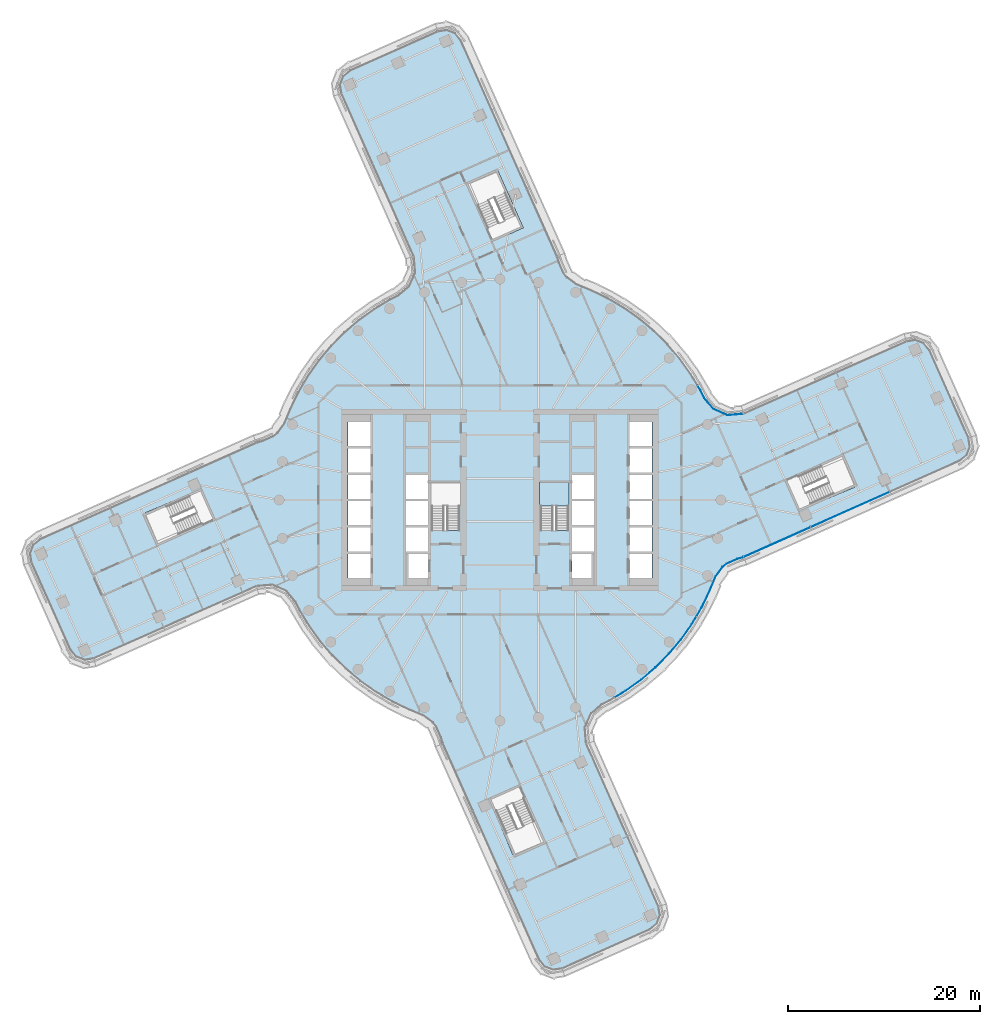
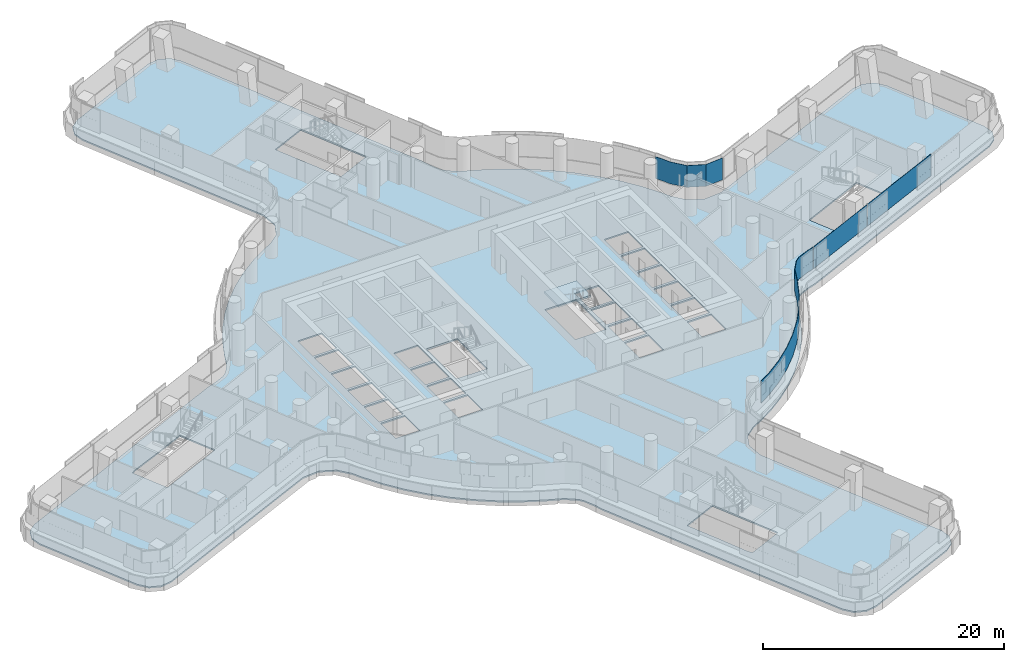
# One storey, part 19 of 35: 5 plates, 2 slabs, 4 elements without a shape of their own.
"""IFC4 building model written with IfcOpenShell, lengths in metres."""

from ifc_helpers import new_model, si_unit, direction, frame, origin, place, context, subcontext, project, spatial, polyline, outline, extrude, material, layer, layer_set, type_object, element, aggregate, save


model = new_model("IFC4")

# Units and contexts
model_context = context("Model", 3, precision=1e-05, world=origin(), true_north=direction((0.0, 1.0)))
body_context = subcontext(model_context, "Body", "Model", "MODEL_VIEW")
ifc_project = project(units=[si_unit("LENGTHUNIT", "METRE"), si_unit("AREAUNIT", "SQUARE_METRE"), si_unit("VOLUMEUNIT", "CUBIC_METRE"), si_unit("PLANEANGLEUNIT", "RADIAN"), si_unit("MASSUNIT", "GRAM", prefix="KILO")], contexts=[model_context])

# Site, building, storey
site_placement = place(None, origin())
site = spatial("IfcSite", under=ifc_project, at=site_placement, CompositionType="ELEMENT")
building_placement = place(site_placement, origin())
building = spatial("IfcBuilding", under=site, at=building_placement, Name="Tamarind Cross Interchange Tower", CompositionType="ELEMENT")
storey_placement = place(building_placement, frame((0.0, 0.0, 121.0)))
storey = spatial("IfcBuildingStorey", under=building, at=storey_placement, Name="L29", CompositionType="ELEMENT", Elevation=121.0)

# Slab
ifc_material_1 = material(Name="Concrete C35", Category="concrete")
ifc_layer_1 = layer(ifc_material_1, 0.139892578125)
ifc_layer_set_1 = layer_set([ifc_layer_1], Name="Concrete C35")
slab_type_1 = type_object("IfcSlabType", Name="Composite slab 140 Concrete C35", PredefinedType="FLOOR", material=ifc_layer_set_1)
slab_1_placement = place(storey_placement, frame((0.0, 0.0, -0.139892578125)))
element("IfcSlab", 1, at=slab_1_placement, inside=storey, type_object=slab_type_1, Name="Floor slab L29", PredefinedType="FLOOR", context=body_context, shape_type="SweptSolid", body=[
    extrude(outline(polyline([(-24.76220703125, 6.337890625), (-25.451904296875, 6.125244140625), (-47.949951171875, -3.906005859375), (-48.754150390625, -4.557861328125), (-49.124755859375, -5.524658203125), (-48.962158203125, -6.547119140625), (-44.889892578125, -15.680419921875), (-44.238037109375, -16.484619140625), (-43.271484375, -16.85498046875), (-42.248779296875, -16.6923828125), (-25.294189453125, -9.168701171875), (-23.68017578125, -9.030029296875), (-22.32666015625, -9.65576171875), (-21.447509765625, -10.726806640625), (-21.054443359375, -11.511474609375), (-20.031982421875, -13.2109375), (-18.87255859375, -14.820068359375), (-17.584228515625, -16.327880859375), (-16.17578125, -17.72412109375), (-14.656982421875, -18.99951171875), (-13.0380859375, -20.14501953125), (-11.329833984375, -21.15283203125), (-9.54443359375, -22.01611328125), (-8.052001953125, -22.634521484375), (-7.122802734375, -23.315185546875), (-6.805419921875, -23.709228515625), (-6.337890625, -24.76220703125), (-6.125244140625, -25.451904296875), (3.906005859375, -47.949951171875), (4.557861328125, -48.754150390625), (5.524658203125, -49.124755859375), (6.547119140625, -48.962158203125), (15.680419921875, -44.889892578125), (16.484619140625, -44.238037109375), (16.85498046875, -43.271484375), (16.6923828125, -42.248779296875), (9.168701171875, -25.294189453125), (9.030029296875, -23.68017578125), (9.65576171875, -22.32666015625), (10.726806640625, -21.447509765625), (11.511474609375, -21.054443359375), (13.2109375, -20.031982421875), (14.820068359375, -18.87255859375), (16.327880859375, -17.584228515625), (17.72412109375, -16.17578125), (18.99951171875, -14.656982421875), (20.14501953125, -13.0380859375), (21.15283203125, -11.329833984375), (22.01611328125, -9.54443359375), (22.634521484375, -8.052001953125), (23.315185546875, -7.122802734375), (23.709228515625, -6.805419921875), (24.76220703125, -6.337890625), (25.451904296875, -6.125244140625), (47.949951171875, 3.906005859375), (48.754150390625, 4.557861328125), (49.124755859375, 5.524658203125), (48.962158203125, 6.547119140625), (44.889892578125, 15.680419921875), (44.238037109375, 16.484619140625), (43.271484375, 16.85498046875), (42.248779296875, 16.6923828125), (25.294189453125, 9.168701171875), (23.68017578125, 9.030029296875), (22.32666015625, 9.65576171875), (21.447509765625, 10.726806640625), (21.054443359375, 11.511474609375), (20.031982421875, 13.2109375), (18.87255859375, 14.820068359375), (17.584228515625, 16.327880859375), (16.17578125, 17.72412109375), (14.656982421875, 18.99951171875), (13.0380859375, 20.14501953125), (11.329833984375, 21.15283203125), (9.54443359375, 22.01611328125), (8.052001953125, 22.634521484375), (7.122802734375, 23.315185546875), (6.805419921875, 23.709228515625), (6.337890625, 24.76220703125), (6.125244140625, 25.451904296875), (-3.906005859375, 47.949951171875), (-4.557861328125, 48.754150390625), (-5.524658203125, 49.124755859375), (-6.547119140625, 48.962158203125), (-15.680419921875, 44.889892578125), (-16.484619140625, 44.238037109375), (-16.85498046875, 43.271484375), (-16.6923828125, 42.248779296875), (-9.168701171875, 25.294189453125), (-9.030029296875, 23.68017578125), (-9.65576171875, 22.32666015625), (-10.726806640625, 21.447509765625), (-11.511474609375, 21.054443359375), (-13.2109375, 20.031982421875), (-14.820068359375, 18.87255859375), (-16.327880859375, 17.584228515625), (-17.72412109375, 16.17578125), (-18.99951171875, 14.656982421875), (-20.14501953125, 13.0380859375), (-21.15283203125, 11.329833984375), (-22.01611328125, 9.54443359375), (-22.634521484375, 8.052001953125), (-23.315185546875, 7.122802734375), (-23.709228515625, 6.805419921875), (-24.76220703125, 6.337890625)]), holes=[polyline([(-13.5, -8.125), (-15.800048828125, -8.125), (-15.800048828125, -5.625), (-13.5, -5.625), (-13.5, -8.125)]), polyline([(-7.5, -8.125), (-9.800048828125, -8.125), (-9.800048828125, -5.625), (-7.5, -5.625), (-7.5, -8.125)]), polyline([(-13.5, -5.375), (-15.800048828125, -5.375), (-15.800048828125, -2.875), (-13.5, -2.875), (-13.5, -5.375)]), polyline([(-35.73193359375, -4.80859375), (-35.8134765625, -4.6259765625), (-37.116455078125, -1.703369140625), (-37.197998046875, -1.520751953125), (-36.9375, -1.404541015625), (-36.9609375, -1.349365234375), (-33.9326171875, -0.064697265625), (-31.07861328125, 1.207763671875), (-30.997314453125, 1.02490234375), (-29.694091796875, -1.897705078125), (-29.612548828125, -2.080322265625), (-35.73193359375, -4.80859375)]), polyline([(-13.5, -2.625), (-15.800048828125, -2.625), (-15.800048828125, -0.125), (-13.5, -0.125), (-13.5, -2.625)]), polyline([(-7.5, -2.625), (-9.800048828125, -2.625), (-9.800048828125, -0.125), (-7.5, -0.125), (-7.5, -2.625)]), polyline([(-13.5, 0.125), (-15.800048828125, 0.125), (-15.800048828125, 2.625), (-13.5, 2.625), (-13.5, 0.125)]), polyline([(-7.5, 0.125), (-9.800048828125, 0.125), (-9.800048828125, 2.625), (-7.5, 2.625), (-7.5, 0.125)]), polyline([(-13.5, 2.875), (-15.800048828125, 2.875), (-15.800048828125, 5.375), (-13.5, 5.375), (-13.5, 2.875)]), polyline([(-15.800048828125, 5.625), (-15.800048828125, 8.125), (-13.5, 8.125), (-13.5, 5.625), (-15.800048828125, 5.625)]), polyline([(4.80859375, -35.73193359375), (4.6259765625, -35.8134765625), (1.703369140625, -37.116455078125), (1.520751953125, -37.197998046875), (1.404541015625, -36.9375), (1.349365234375, -36.9609375), (0.064697265625, -33.9326171875), (-1.207763671875, -31.07861328125), (-1.02490234375, -30.997314453125), (1.897705078125, -29.694091796875), (2.080322265625, -29.612548828125), (4.80859375, -35.73193359375)]), polyline([(-9.800048828125, -5.375), (-9.800048828125, -2.875), (-7.5, -2.875), (-7.5, -5.375), (-9.800048828125, -5.375)]), polyline([(-4.199951171875, -3.18798828125), (-7.14990234375, -3.18798828125), (-7.14990234375, 1.800048828125), (-4.199951171875, 1.800048828125), (-4.199951171875, -3.18798828125)]), polyline([(7.14990234375, 1.800048828125), (7.14990234375, -3.18798828125), (4.199951171875, -3.18798828125), (4.199951171875, 1.800048828125), (7.14990234375, 1.800048828125)]), polyline([(7.5, 2.625), (9.800048828125, 2.625), (9.800048828125, 0.125), (7.5, 0.125), (7.5, 2.625)]), polyline([(2.42919921875, 28.338623046875), (2.24658203125, 28.257080078125), (-0.676025390625, 26.9541015625), (-0.858642578125, 26.87255859375), (-3.5869140625, 32.991943359375), (-3.404296875, 33.073486328125), (-0.481689453125, 34.37646484375), (-0.299072265625, 34.4580078125), (-0.1826171875, 34.197021484375), (-0.177978515625, 34.19921875), (-0.064697265625, 33.932373046875), (2.42919921875, 28.338623046875)]), polyline([(7.5, -5.625), (9.800048828125, -5.625), (9.800048828125, -8.125), (7.5, -8.125), (7.5, -5.625)]), polyline([(15.800048828125, -5.625), (15.800048828125, -8.125), (13.5, -8.125), (13.5, -5.625), (15.800048828125, -5.625)]), polyline([(9.800048828125, -2.875), (9.800048828125, -5.375), (7.5, -5.375), (7.5, -2.875), (9.800048828125, -2.875)]), polyline([(13.5, -2.875), (15.800048828125, -2.875), (15.800048828125, -5.375), (13.5, -5.375), (13.5, -2.875)]), polyline([(7.5, -0.125), (9.800048828125, -0.125), (9.800048828125, -2.625), (7.5, -2.625), (7.5, -0.125)]), polyline([(13.5, -0.125), (15.800048828125, -0.125), (15.800048828125, -2.625), (13.5, -2.625), (13.5, -0.125)]), polyline([(30.997314453125, -1.02490234375), (29.694091796875, 1.897705078125), (29.612548828125, 2.080322265625), (35.73193359375, 4.80859375), (35.8134765625, 4.6259765625), (37.116455078125, 1.703369140625), (37.197998046875, 1.520751953125), (36.9375, 1.404541015625), (36.9609375, 1.349365234375), (33.9326171875, 0.064697265625), (31.07861328125, -1.207763671875), (30.997314453125, -1.02490234375)]), polyline([(13.5, 2.625), (15.800048828125, 2.625), (15.800048828125, 0.125), (13.5, 0.125), (13.5, 2.625)]), polyline([(15.800048828125, 5.375), (15.800048828125, 2.875), (13.5, 2.875), (13.5, 5.375), (15.800048828125, 5.375)]), polyline([(15.800048828125, 8.125), (15.800048828125, 5.625), (13.5, 5.625), (13.5, 8.125), (15.800048828125, 8.125)])]), origin(), (0.0, 0.0, 1.0), 0.139892578125),
])

# Stair, slab
ifc_material_2 = material(Name="Exit stair")
stair_type = type_object("IfcStairType", Name="Exit stair", PredefinedType="HALF_TURN_STAIR", material=ifc_material_2)
stair_placement = place(storey_placement, origin())
stair = element("IfcStair", 2, at=stair_placement, inside=storey, type_object=stair_type, Name="L29 exit stair ST2", PredefinedType="HALF_TURN_STAIR")
ifc_material_3 = material(Name="Concrete C40", Category="concrete")
ifc_layer_2 = layer(ifc_material_3, 0.199951171875)
ifc_layer_set_2 = layer_set([ifc_layer_2], Name="Concrete C40")
slab_type_2 = type_object("IfcSlabType", Name="Stair landing", PredefinedType="LANDING", material=ifc_layer_set_2)
slab_2_placement = place(storey_placement, frame((0.0, 0.0, 1.675048828125)))
slab_2 = element("IfcSlab", 3, at=slab_2_placement, type_object=slab_type_2, Name="ST2 landing 1", PredefinedType="LANDING", context=body_context, shape_type="SweptSolid", body=[
    extrude(outline(polyline([(7.199951171875, -0.60009765625), (7.199951171875, 1.800048828125), (4.10009765625, 1.800048828125), (4.10009765625, -0.60009765625), (7.199951171875, -0.60009765625)])), origin(), (0.0, 0.0, 1.0), 0.199951171875),
])
aggregate(stair, [slab_2])

# Curtain wall, plates
ifc_material_4 = material(Name="Aluminium 6063-T6", Category="aluminium")
ifc_layer_3 = layer(ifc_material_4, 0.159912109375)
ifc_layer_set_3 = layer_set([ifc_layer_3], Name="Aluminium 6063-T6")
curtain_wall_type = type_object("IfcCurtainWallType", Name="Office curtain wall, 9.0 m bays", PredefinedType="NOTDEFINED", material=ifc_layer_set_3)
curtain_wall_1_placement = place(storey_placement, origin())
curtain_wall_1 = element("IfcCurtainWall", 4, at=curtain_wall_1_placement, inside=storey, type_object=curtain_wall_type, Name="CWS-L29-06", PredefinedType="NOTDEFINED")
ifc_material_5 = material(Name="Laminated low-e glass 8+1.52+8", Category="glass")
ifc_layer_4 = layer(ifc_material_5, 0.028076171875)
ifc_layer_set_4 = layer_set([ifc_layer_4], Name="Laminated low-e glass 8+1.52+8")
plate_type = type_object("IfcPlateType", Name="Vision panel CW1", PredefinedType="CURTAIN_PANEL", material=ifc_layer_set_4)
plate_1_placement = place(storey_placement, frame((0.0, 0.0, 1.39990234375)))
plate_1 = element("IfcPlate", 5, at=plate_1_placement, type_object=plate_type, Name="CWP-L29-06-01", PredefinedType="CURTAIN_PANEL", context=body_context, shape_type="SweptSolid", body=[
    extrude(outline(polyline([(11.94580078125, -20.54345703125), (13.093017578125, -19.85302734375), (14.687744140625, -18.7041015625), (16.18212890625, -17.42724609375), (17.56591796875, -16.031494140625), (18.829833984375, -14.526123046875), (19.965087890625, -12.921630859375), (20.428955078125, -12.135498046875), (20.453125, -12.14990234375), (19.988525390625, -12.936767578125), (18.85205078125, -14.543212890625), (17.586669921875, -16.05029296875), (16.201171875, -17.44775390625), (14.705078125, -18.72607421875), (13.1083984375, -19.87646484375), (11.960205078125, -20.5673828125), (11.94580078125, -20.54345703125)])), origin(), (0.0, 0.0, 1.0), 2.210205078125),
])
plate_2_placement = place(storey_placement, frame((0.0, 0.0, 1.39990234375)))
plate_2 = element("IfcPlate", 6, at=plate_2_placement, type_object=plate_type, Name="CWP-L29-06-02", PredefinedType="CURTAIN_PANEL", context=body_context, shape_type="SweptSolid", body=[
    extrude(outline(polyline([(20.45947265625, -12.083984375), (20.9638671875, -11.228759765625), (21.82080078125, -9.456787109375), (22.446533203125, -7.9462890625), (23.1591796875, -6.9736328125), (23.596923828125, -6.62109375), (24.68701171875, -6.136962890625), (25.3486328125, -5.93310546875), (25.356689453125, -5.9599609375), (24.69677734375, -6.163330078125), (23.611572265625, -6.645263671875), (23.1796875, -6.9931640625), (22.47119140625, -7.960205078125), (21.846435546875, -9.46826171875), (20.98876953125, -11.241943359375), (20.4833984375, -12.09814453125), (20.45947265625, -12.083984375)])), origin(), (0.0, 0.0, 1.0), 2.210205078125),
])
aggregate(curtain_wall_1, [plate_1, plate_2])

curtain_wall_2_placement = place(storey_placement, origin())
curtain_wall_2 = element("IfcCurtainWall", 7, at=curtain_wall_2_placement, inside=storey, type_object=curtain_wall_type, Name="CWS-L29-07", PredefinedType="NOTDEFINED")
plate_3_placement = place(storey_placement, frame((0.0, 0.0, 1.39990234375)))
plate_3 = element("IfcPlate", 8, at=plate_3_placement, type_object=plate_type, Name="CWP-L29-07-00", PredefinedType="CURTAIN_PANEL", context=body_context, shape_type="SweptSolid", body=[
    extrude(outline(polyline([(25.403076171875, -5.91259765625), (32.316650390625, -2.830078125), (32.328125, -2.855712890625), (25.414306640625, -5.938232421875), (25.403076171875, -5.91259765625)])), origin(), (0.0, 0.0, 1.0), 2.210205078125),
])
plate_4_placement = place(storey_placement, frame((0.0, 0.0, 1.39990234375)))
plate_4 = element("IfcPlate", 9, at=plate_4_placement, type_object=plate_type, Name="CWP-L29-07-01", PredefinedType="CURTAIN_PANEL", context=body_context, shape_type="SweptSolid", body=[
    extrude(outline(polyline([(32.37158203125, -2.8056640625), (40.52392578125, 0.8291015625), (40.535400390625, 0.8037109375), (32.383056640625, -2.831298828125), (32.37158203125, -2.8056640625)])), origin(), (0.0, 0.0, 1.0), 2.210205078125),
])
aggregate(curtain_wall_2, [plate_3, plate_4])

# Curtain wall, plate
curtain_wall_3_placement = place(storey_placement, origin())
curtain_wall_3 = element("IfcCurtainWall", 10, at=curtain_wall_3_placement, inside=storey, type_object=curtain_wall_type, Name="CWS-L29-10", PredefinedType="NOTDEFINED")
plate_5_placement = place(storey_placement, frame((0.0, 0.0, 1.39990234375)))
plate_5 = element("IfcPlate", 11, at=plate_5_placement, type_object=plate_type, Name="CWP-L29-10-00", PredefinedType="CURTAIN_PANEL", context=body_context, shape_type="SweptSolid", body=[
    extrude(outline(polyline([(25.31591796875, 8.95556640625), (23.64208984375, 8.81201171875), (22.1923828125, 9.48193359375), (21.266845703125, 10.609619140625), (20.866943359375, 11.408203125), (20.574462890625, 11.894287109375), (20.598388671875, 11.90869140625), (20.891357421875, 11.421875), (21.29052734375, 10.625), (22.2099609375, 9.504638671875), (23.64697265625, 8.840576171875), (25.313720703125, 8.983642578125), (25.31591796875, 8.95556640625)])), origin(), (0.0, 0.0, 1.0), 2.210205078125),
])
aggregate(curtain_wall_3, [plate_5])

save(model, "model.ifc")
